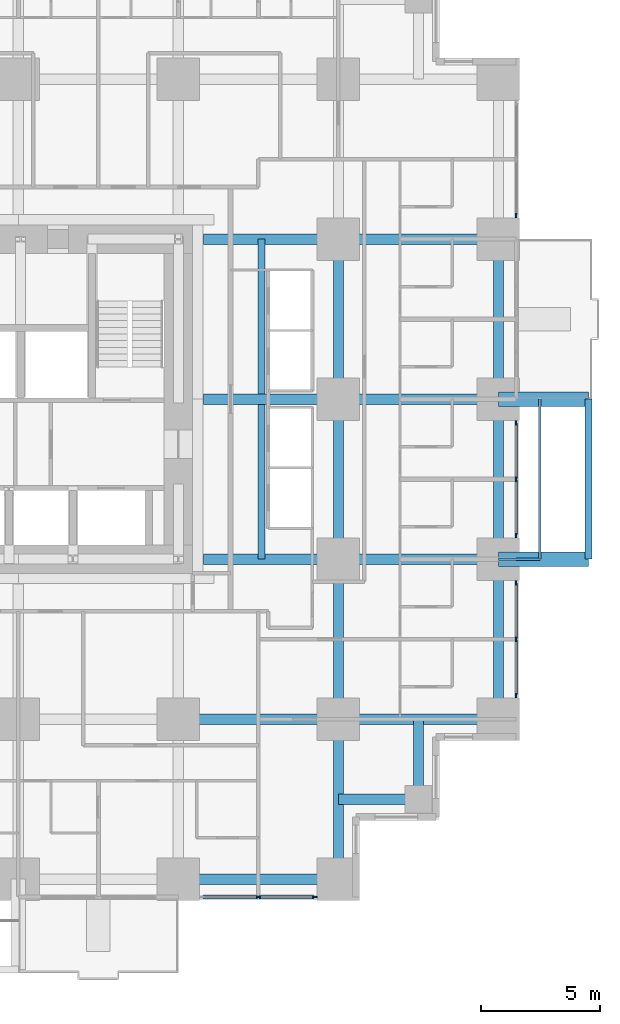
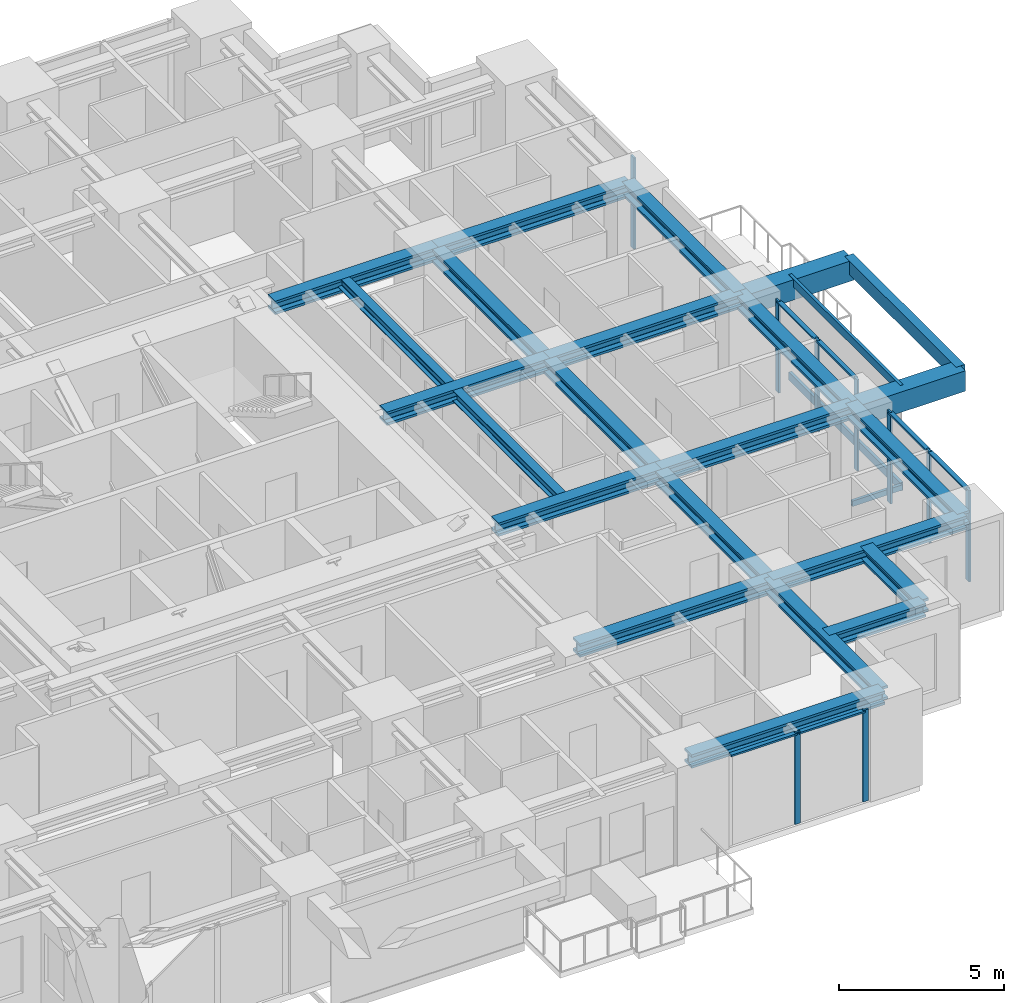
# One storey, part 4 of 14: 23 beams, 18 members, 4 elements without a shape of their own.
"""IFC4 building model written with IfcOpenShell, lengths in metres."""

from ifc_helpers import new_model, si_unit, direction, frame, origin, origin_2d, place, context, subcontext, project, spatial, rectangle, hollow_rectangle, i_section, extrude, material, material_profile, profile_set, type_object, element, aggregate, save


model = new_model("IFC4")

# Units and contexts
model_context = context("Model", 3, precision=1e-05, world=origin(), true_north=direction((0.0, 1.0)))
body_context = subcontext(model_context, "Body", "Model", "MODEL_VIEW")
ifc_project = project(units=[si_unit("LENGTHUNIT", "METRE"), si_unit("AREAUNIT", "SQUARE_METRE"), si_unit("VOLUMEUNIT", "CUBIC_METRE"), si_unit("PLANEANGLEUNIT", "RADIAN"), si_unit("MASSUNIT", "GRAM", prefix="KILO")], contexts=[model_context])

# Site, building, storey
site_placement = place(None, origin())
site = spatial("IfcSite", under=ifc_project, at=site_placement, CompositionType="ELEMENT")
building_placement = place(site_placement, origin())
building = spatial("IfcBuilding", under=site, at=building_placement, Name="Nyansa Garden Tower", CompositionType="ELEMENT")
storey_placement = place(building_placement, frame((0.0, 0.0, 57.60009765625)))
storey = spatial("IfcBuildingStorey", under=building, at=storey_placement, Name="L15", CompositionType="ELEMENT", Elevation=57.60009765625)

# Beams
ifc_material_1 = material(Name="Concrete C70/85", Category="concrete")
ifc_material_profile_1 = material_profile(ifc_material_1, rectangle(XDim=0.60009765625, YDim=0.75, at=origin_2d()), Name="RC 600x750")
ifc_profile_set_1 = profile_set([ifc_material_profile_1], Name="Concrete C70/85")
beam_type_1 = type_object("IfcBeamType", Name="Balcony cantilever beam CB1 RC 600x750", PredefinedType="BEAM", material=ifc_profile_set_1)
for number, where, z_axis, x_axis, name in (
    (1, (40.5, 13.5, 2.98486328125), (1.0, 0.0, 0.0), (0.0, 1.0, 0.0), "Balcony cantilever beam L16"),
    (2, (40.5, 20.25, 2.98486328125), (1.0, 0.0, 0.0), (0.0, 1.0, 0.0), "Balcony cantilever beam L16"),
):
    element("IfcBeam", number, at=place(storey_placement, frame(where, z_axis=z_axis, x_axis=x_axis)), inside=storey, type_object=beam_type_1, Name=name, PredefinedType="BEAM", context=body_context, shape_type="SweptSolid", body=[
        extrude(rectangle(XDim=0.60009765625, YDim=0.75, at=origin_2d()), origin(), (0.0, 0.0, 1.0), 3.800048828125),
    ])
ifc_material_2 = material(Name="Concrete C70/85", Category="concrete")
ifc_material_profile_2 = material_profile(ifc_material_2, rectangle(XDim=0.300048828125, YDim=0.5, at=origin_2d()), Name="RC 300x500")
ifc_profile_set_2 = profile_set([ifc_material_profile_2], Name="Concrete C70/85")
beam_type_2 = type_object("IfcBeamType", Name="Balcony edge beam BE1 RC 300x500", PredefinedType="BEAM", material=ifc_profile_set_2)
beam_1_placement = place(storey_placement, frame((44.300048828125, 13.5, 3.10986328125), z_axis=(0.0, 1.0, 0.0), x_axis=(-1.0, 0.0, 0.0)))
element("IfcBeam", 3, at=beam_1_placement, inside=storey, type_object=beam_type_2, Name="Balcony edge beam L16", PredefinedType="BEAM", context=body_context, shape_type="SweptSolid", body=[
    extrude(rectangle(XDim=0.300048828125, YDim=0.5, at=origin_2d()), origin(), (0.0, 0.0, 1.0), 6.75),
])

# Curtain wall, members
ifc_material_3 = material(Name="Black anodised aluminium, dark tinted double glazing", Category="aluminium")
curtain_wall_type = type_object("IfcCurtainWallType", Name="Inner skin curtain wall ISW-A", PredefinedType="USERDEFINED", material=ifc_material_3)
curtain_wall_1_placement = place(storey_placement, origin())
curtain_wall_1 = element("IfcCurtainWall", 4, at=curtain_wall_1_placement, inside=storey, type_object=curtain_wall_type, Name="Inner skin curtain wall L15 E", ObjectType="UNITISED CURTAIN WALL", PredefinedType="USERDEFINED")
ifc_material_4 = material(Name="Black anodised aluminium", Category="aluminium")
ifc_material_profile_3 = material_profile(ifc_material_4, rectangle(XDim=0.06494140625, YDim=0.199951171875, at=origin_2d()), Name="Mullion 200x65")
ifc_profile_set_3 = profile_set([ifc_material_profile_3], Name="Black anodised aluminium")
member_type_1 = type_object("IfcMemberType", Name="Mullion ISW-A 200x65", PredefinedType="MULLION", material=ifc_profile_set_3)
member_1_placement = place(storey_placement, frame((41.25, 7.75, 0.0), z_axis=(0.0, 0.0, 1.0), x_axis=(-1.0, 0.0, 0.0)))
member_1 = element("IfcMember", 5, at=member_1_placement, type_object=member_type_1, Name="ISW-A mullion 1", PredefinedType="MULLION", context=body_context, shape_type="SweptSolid", body=[
    extrude(rectangle(XDim=0.06494140625, YDim=0.199951171875, at=origin_2d()), origin(), (0.0, 0.0, 1.0), 3.375),
])
member_2_placement = place(storey_placement, frame((41.25, 10.125, 0.0), z_axis=(0.0, 0.0, 1.0), x_axis=(-1.0, 0.0, 0.0)))
member_2 = element("IfcMember", 6, at=member_2_placement, type_object=member_type_1, Name="ISW-A mullion 2", PredefinedType="MULLION", context=body_context, shape_type="SweptSolid", body=[
    extrude(rectangle(XDim=0.06494140625, YDim=0.199951171875, at=origin_2d()), origin(), (0.0, 0.0, 1.0), 3.375),
])
member_3_placement = place(storey_placement, frame((41.25, 12.5, 0.0), z_axis=(0.0, 0.0, 1.0), x_axis=(-1.0, 0.0, 0.0)))
member_3 = element("IfcMember", 7, at=member_3_placement, type_object=member_type_1, Name="ISW-A mullion 3", PredefinedType="MULLION", context=body_context, shape_type="SweptSolid", body=[
    extrude(rectangle(XDim=0.06494140625, YDim=0.199951171875, at=origin_2d()), origin(), (0.0, 0.0, 1.0), 3.375),
])

curtain_wall_2_placement = place(storey_placement, origin())
curtain_wall_2 = element("IfcCurtainWall", 8, at=curtain_wall_2_placement, inside=storey, type_object=curtain_wall_type, Name="Inner skin curtain wall L15 E", ObjectType="UNITISED CURTAIN WALL", PredefinedType="USERDEFINED")
member_4_placement = place(storey_placement, frame((41.25, 14.5, 0.0), z_axis=(0.0, 0.0, 1.0), x_axis=(-1.0, 0.0, 0.0)))
member_4 = element("IfcMember", 9, at=member_4_placement, type_object=member_type_1, Name="ISW-A mullion 1", PredefinedType="MULLION", context=body_context, shape_type="SweptSolid", body=[
    extrude(rectangle(XDim=0.06494140625, YDim=0.199951171875, at=origin_2d()), origin(), (0.0, 0.0, 1.0), 3.375),
])
member_5_placement = place(storey_placement, frame((41.25, 16.875, 0.0), z_axis=(0.0, 0.0, 1.0), x_axis=(-1.0, 0.0, 0.0)))
member_5 = element("IfcMember", 10, at=member_5_placement, type_object=member_type_1, Name="ISW-A mullion 2", PredefinedType="MULLION", context=body_context, shape_type="SweptSolid", body=[
    extrude(rectangle(XDim=0.06494140625, YDim=0.199951171875, at=origin_2d()), origin(), (0.0, 0.0, 1.0), 3.375),
])
member_6_placement = place(storey_placement, frame((41.25, 19.25, 0.0), z_axis=(0.0, 0.0, 1.0), x_axis=(-1.0, 0.0, 0.0)))
member_6 = element("IfcMember", 11, at=member_6_placement, type_object=member_type_1, Name="ISW-A mullion 3", PredefinedType="MULLION", context=body_context, shape_type="SweptSolid", body=[
    extrude(rectangle(XDim=0.06494140625, YDim=0.199951171875, at=origin_2d()), origin(), (0.0, 0.0, 1.0), 3.375),
])

# Curtain wall, member
curtain_wall_3_placement = place(storey_placement, origin())
curtain_wall_3 = element("IfcCurtainWall", 12, at=curtain_wall_3_placement, inside=storey, type_object=curtain_wall_type, Name="Inner skin curtain wall L15 E", ObjectType="UNITISED CURTAIN WALL", PredefinedType="USERDEFINED")
member_7_placement = place(storey_placement, frame((41.25, 28.0, 0.0), z_axis=(0.0, 0.0, 1.0), x_axis=(-1.0, 0.0, 0.0)))
member_7 = element("IfcMember", 13, at=member_7_placement, type_object=member_type_1, Name="ISW-A mullion 1", PredefinedType="MULLION", context=body_context, shape_type="SweptSolid", body=[
    extrude(rectangle(XDim=0.06494140625, YDim=0.199951171875, at=origin_2d()), origin(), (0.0, 0.0, 1.0), 3.375),
])
aggregate(curtain_wall_3, [member_7])

# Curtain wall, members
curtain_wall_4_placement = place(storey_placement, origin())
curtain_wall_4 = element("IfcCurtainWall", 14, at=curtain_wall_4_placement, inside=storey, type_object=curtain_wall_type, Name="Inner skin curtain wall L15 S", ObjectType="UNITISED CURTAIN WALL", PredefinedType="USERDEFINED")
member_8_placement = place(storey_placement, frame((30.375, -0.75, 0.0), z_axis=(0.0, 0.0, 1.0), x_axis=(0.0, 1.0, 0.0)))
member_8 = element("IfcMember", 15, at=member_8_placement, type_object=member_type_1, Name="ISW-A mullion 2", PredefinedType="MULLION", context=body_context, shape_type="SweptSolid", body=[
    extrude(rectangle(XDim=0.06494140625, YDim=0.199951171875, at=origin_2d()), origin(), (0.0, 0.0, 1.0), 3.375),
])
member_9_placement = place(storey_placement, frame((32.75, -0.75, 0.0), z_axis=(0.0, 0.0, 1.0), x_axis=(0.0, 1.0, 0.0)))
member_9 = element("IfcMember", 16, at=member_9_placement, type_object=member_type_1, Name="ISW-A mullion 3", PredefinedType="MULLION", context=body_context, shape_type="SweptSolid", body=[
    extrude(rectangle(XDim=0.06494140625, YDim=0.199951171875, at=origin_2d()), origin(), (0.0, 0.0, 1.0), 3.375),
])

# Members
ifc_material_5 = material(Name="Steel S355, black powder coated", Category="steel")
ifc_material_profile_4 = material_profile(ifc_material_5, hollow_rectangle(XDim=0.10009765625, YDim=0.199951171875, WallThickness=0.008056640625, at=origin_2d()), Name="RHS 200x100x8")
ifc_profile_set_4 = profile_set([ifc_material_profile_4], Name="Steel S355, black powder coated")
member_type_2 = type_object("IfcMemberType", Name="Outer skin bracket arm RHS 200x100x8", PredefinedType="USERDEFINED", material=ifc_profile_set_4)
member_10_placement = place(storey_placement, frame((40.5, 13.5, -0.375), z_axis=(1.0, 0.0, 0.0), x_axis=(0.0, 1.0, 0.0)))
element("IfcMember", 17, at=member_10_placement, inside=storey, type_object=member_type_2, Name="Outer skin bracket arm", ObjectType="OUTER SKIN BRACKET", PredefinedType="USERDEFINED", context=body_context, shape_type="SweptSolid", body=[
    extrude(hollow_rectangle(XDim=0.10009765625, YDim=0.199951171875, WallThickness=0.008056640625, at=origin_2d()), origin(), (0.0, 0.0, 1.0), 1.75),
])
ifc_material_6 = material(Name="Steel S355, black powder coated", Category="steel")
ifc_material_profile_5 = material_profile(ifc_material_6, hollow_rectangle(XDim=0.10009765625, YDim=0.300048828125, WallThickness=0.010009765625, at=origin_2d()), Name="RHS 300x100x10")
ifc_profile_set_5 = profile_set([ifc_material_profile_5], Name="Steel S355, black powder coated")
member_type_3 = type_object("IfcMemberType", Name="Outer skin rail RHS 300x100x10", PredefinedType="USERDEFINED", material=ifc_profile_set_5)
for number, where, z_axis, x_axis, name in (
    (18, (42.25, 13.5, -0.375), (0.0, 1.0, 0.0), (-1.0, 0.0, 0.0), "Outer skin rail L15"),
    (19, (42.25, 13.5, 3.224853515625), (0.0, 1.0, 0.0), (-1.0, 0.0, 0.0), "Outer skin rail L15 head"),
):
    element("IfcMember", number, at=place(storey_placement, frame(where, z_axis=z_axis, x_axis=x_axis)), inside=storey, type_object=member_type_3, Name=name, ObjectType="OUTER SKIN RAIL", PredefinedType="USERDEFINED", context=body_context, shape_type="SweptSolid", body=[
        extrude(hollow_rectangle(XDim=0.10009765625, YDim=0.300048828125, WallThickness=0.010009765625, at=origin_2d()), origin(), (0.0, 0.0, 1.0), 6.75),
    ])

# Beams
ifc_material_7 = material(Name="Steel S355", Category="steel")
ifc_material_profile_6 = material_profile(ifc_material_7, i_section(OverallWidth=0.431884765625, OverallDepth=0.498046875, WebThickness=0.0556640625, FlangeThickness=0.0888671875, FilletRadius=0.014892578125, at=origin_2d()), Name="HD 400x744")
ifc_profile_set_6 = profile_set([ifc_material_profile_6], Name="Steel S355")
beam_type_3 = type_object("IfcBeamType", Name="Steel beam SBA1-744 HD 400x744", PredefinedType="BEAM", material=ifc_profile_set_6)
beam_2_placement = place(storey_placement, frame((27.0, 6.75, 3.1259765625), z_axis=(1.0, 0.0, 0.0), x_axis=(0.0, 1.0, 0.0)))
element("IfcBeam", 20, at=beam_2_placement, inside=storey, type_object=beam_type_3, Name="Steel beam 6/E-7/E L16", PredefinedType="BEAM", context=body_context, shape_type="SweptSolid", body=[
    extrude(i_section(OverallWidth=0.431884765625, OverallDepth=0.498046875, WebThickness=0.0556640625, FlangeThickness=0.0888671875, FilletRadius=0.014892578125, at=origin_2d()), origin(), (0.0, 0.0, 1.0), 6.75),
])
for number, where, z_axis, x_axis, name in (
    (21, (28.050048828125, 13.5, 3.1259765625), (1.0, 0.0, 0.0), (0.0, 1.0, 0.0), "Steel beam 28.050/F-7/F L16"),
    (22, (28.050048828125, 20.25, 3.1259765625), (1.0, 0.0, 0.0), (0.0, 1.0, 0.0), "Steel beam 28.050/G-7/G L16"),
    (23, (28.050048828125, 27.0, 3.1259765625), (1.0, 0.0, 0.0), (0.0, 1.0, 0.0), "Steel beam 28.050/H-7/H L16"),
):
    element("IfcBeam", number, at=place(storey_placement, frame(where, z_axis=z_axis, x_axis=x_axis)), inside=storey, type_object=beam_type_3, Name=name, PredefinedType="BEAM", context=body_context, shape_type="SweptSolid", body=[
        extrude(i_section(OverallWidth=0.431884765625, OverallDepth=0.498046875, WebThickness=0.0556640625, FlangeThickness=0.0888671875, FilletRadius=0.014892578125, at=origin_2d()), origin(), (0.0, 0.0, 1.0), 5.699951171875),
    ])
for number, where, z_axis, x_axis, name in (
    (24, (33.75, 0.0, 3.1259765625), (0.0, 1.0, 0.0), (-1.0, 0.0, 0.0), "Steel beam 7/D-7/E L16"),
    (25, (33.75, 6.75, 3.1259765625), (0.0, 1.0, 0.0), (-1.0, 0.0, 0.0), "Steel beam 7/E-7/F L16"),
    (26, (33.75, 6.75, 3.1259765625), (1.0, 0.0, 0.0), (0.0, 1.0, 0.0), "Steel beam 7/E-8/E L16"),
    (27, (33.75, 13.5, 3.1259765625), (0.0, 1.0, 0.0), (-1.0, 0.0, 0.0), "Steel beam 7/F-7/G L16"),
    (28, (33.75, 13.5, 3.1259765625), (1.0, 0.0, 0.0), (0.0, 1.0, 0.0), "Steel beam 7/F-8/F L16"),
    (29, (33.75, 20.25, 3.1259765625), (0.0, 1.0, 0.0), (-1.0, 0.0, 0.0), "Steel beam 7/G-7/H L16"),
    (30, (33.75, 20.25, 3.1259765625), (1.0, 0.0, 0.0), (0.0, 1.0, 0.0), "Steel beam 7/G-8/G L16"),
    (31, (33.75, 27.0, 3.1259765625), (1.0, 0.0, 0.0), (0.0, 1.0, 0.0), "Steel beam 7/H-8/H L16"),
):
    element("IfcBeam", number, at=place(storey_placement, frame(where, z_axis=z_axis, x_axis=x_axis)), inside=storey, type_object=beam_type_3, Name=name, PredefinedType="BEAM", context=body_context, shape_type="SweptSolid", body=[
        extrude(i_section(OverallWidth=0.431884765625, OverallDepth=0.498046875, WebThickness=0.0556640625, FlangeThickness=0.0888671875, FilletRadius=0.014892578125, at=origin_2d()), origin(), (0.0, 0.0, 1.0), 6.75),
    ])
ifc_material_8 = material(Name="Steel S355", Category="steel")
ifc_material_profile_7 = material_profile(ifc_material_8, i_section(OverallWidth=0.431884765625, OverallDepth=0.498046875, WebThickness=0.0556640625, FlangeThickness=0.0888671875, FilletRadius=0.014892578125, at=origin_2d()), Name="HD 400x744")
ifc_profile_set_7 = profile_set([ifc_material_profile_7], Name="Steel S355")
beam_type_4 = type_object("IfcBeamType", Name="Steel beam SEBA-744 HD 400x744", PredefinedType="BEAM", material=ifc_profile_set_7)
for number, where, z_axis, x_axis, name in (
    (32, (27.0, 0.0, 3.1259765625), (1.0, 0.0, 0.0), (0.0, 1.0, 0.0), "Steel edge beam 6/D-7/D L16"),
    (33, (40.5, 6.75, 3.1259765625), (0.0, 1.0, 0.0), (-1.0, 0.0, 0.0), "Steel edge beam 8/E-8/F L16"),
    (34, (40.5, 13.5, 3.1259765625), (0.0, 1.0, 0.0), (-1.0, 0.0, 0.0), "Steel edge beam 8/F-8/G L16"),
    (35, (40.5, 20.25, 3.1259765625), (0.0, 1.0, 0.0), (-1.0, 0.0, 0.0), "Steel edge beam 8/G-8/H L16"),
):
    element("IfcBeam", number, at=place(storey_placement, frame(where, z_axis=z_axis, x_axis=x_axis)), inside=storey, type_object=beam_type_4, Name=name, PredefinedType="BEAM", context=body_context, shape_type="SweptSolid", body=[
        extrude(i_section(OverallWidth=0.431884765625, OverallDepth=0.498046875, WebThickness=0.0556640625, FlangeThickness=0.0888671875, FilletRadius=0.014892578125, at=origin_2d()), origin(), (0.0, 0.0, 1.0), 6.75),
    ])
ifc_material_9 = material(Name="Steel S355", Category="steel")
ifc_material_profile_8 = material_profile(ifc_material_9, i_section(OverallWidth=0.431884765625, OverallDepth=0.498046875, WebThickness=0.0556640625, FlangeThickness=0.0888671875, FilletRadius=0.014892578125, at=origin_2d()), Name="HD 400x744")
ifc_profile_set_8 = profile_set([ifc_material_profile_8], Name="Steel S355")
beam_type_5 = type_object("IfcBeamType", Name="Steel beam SSB1-744 HD 400x744", PredefinedType="BEAM", material=ifc_profile_set_8)
for number, where, z_axis, x_axis, name in (
    (36, (37.125, 3.375, 3.1259765625), (0.0, 1.0, 0.0), (-1.0, 0.0, 0.0), "Steel step beam 37.125/3.375 L16"),
    (37, (37.125, 3.375, 3.1259765625), (-1.0, 0.0, 0.0), (0.0, -1.0, 0.0), "Steel step beam 37.125/3.375 L16"),
):
    element("IfcBeam", number, at=place(storey_placement, frame(where, z_axis=z_axis, x_axis=x_axis)), inside=storey, type_object=beam_type_5, Name=name, PredefinedType="BEAM", context=body_context, shape_type="SweptSolid", body=[
        extrude(i_section(OverallWidth=0.431884765625, OverallDepth=0.498046875, WebThickness=0.0556640625, FlangeThickness=0.0888671875, FilletRadius=0.014892578125, at=origin_2d()), origin(), (0.0, 0.0, 1.0), 3.375),
    ])

# Member
ifc_material_10 = material(Name="Black anodised aluminium", Category="aluminium")
ifc_material_profile_9 = material_profile(ifc_material_10, rectangle(XDim=0.14990234375, YDim=0.06494140625, at=origin_2d()), Name="Transom 150x65")
ifc_profile_set_9 = profile_set([ifc_material_profile_9], Name="Black anodised aluminium")
member_type_4 = type_object("IfcMemberType", Name="Transom ISW-A 150x65", PredefinedType="USERDEFINED", material=ifc_profile_set_9)
member_11_placement = place(storey_placement, frame((41.25, 7.782470703125, 3.34228515625), z_axis=(0.0, 1.0, 0.0), x_axis=(-1.0, 0.0, 0.0)))
member_11 = element("IfcMember", 38, at=member_11_placement, type_object=member_type_4, Name="ISW-A transom 1", ObjectType="TRANSOM", PredefinedType="USERDEFINED", context=body_context, shape_type="SweptSolid", body=[
    extrude(rectangle(XDim=0.14990234375, YDim=0.06494140625, at=origin_2d()), origin(), (0.0, 0.0, 1.0), 2.31005859375),
])

member_12_placement = place(storey_placement, frame((41.25, 10.157470703125, 3.34228515625), z_axis=(0.0, 1.0, 0.0), x_axis=(-1.0, 0.0, 0.0)))
member_12 = element("IfcMember", 39, at=member_12_placement, type_object=member_type_4, Name="ISW-A transom 2", ObjectType="TRANSOM", PredefinedType="USERDEFINED", context=body_context, shape_type="SweptSolid", body=[
    extrude(rectangle(XDim=0.14990234375, YDim=0.06494140625, at=origin_2d()), origin(), (0.0, 0.0, 1.0), 2.31005859375),
])

aggregate(curtain_wall_1, [member_1, member_2, member_3, member_11, member_12])

member_13_placement = place(storey_placement, frame((41.25, 14.532470703125, 3.34228515625), z_axis=(0.0, 1.0, 0.0), x_axis=(-1.0, 0.0, 0.0)))
member_13 = element("IfcMember", 40, at=member_13_placement, type_object=member_type_4, Name="ISW-A transom 1", ObjectType="TRANSOM", PredefinedType="USERDEFINED", context=body_context, shape_type="SweptSolid", body=[
    extrude(rectangle(XDim=0.14990234375, YDim=0.06494140625, at=origin_2d()), origin(), (0.0, 0.0, 1.0), 2.31005859375),
])

member_14_placement = place(storey_placement, frame((41.25, 16.907470703125, 3.34228515625), z_axis=(0.0, 1.0, 0.0), x_axis=(-1.0, 0.0, 0.0)))
member_14 = element("IfcMember", 41, at=member_14_placement, type_object=member_type_4, Name="ISW-A transom 2", ObjectType="TRANSOM", PredefinedType="USERDEFINED", context=body_context, shape_type="SweptSolid", body=[
    extrude(rectangle(XDim=0.14990234375, YDim=0.06494140625, at=origin_2d()), origin(), (0.0, 0.0, 1.0), 2.31005859375),
])

aggregate(curtain_wall_2, [member_4, member_5, member_6, member_13, member_14])

member_15_placement = place(storey_placement, frame((28.032470703125, -0.75, 3.34228515625), z_axis=(1.0, 0.0, 0.0), x_axis=(0.0, 1.0, 0.0)))
member_15 = element("IfcMember", 42, at=member_15_placement, type_object=member_type_4, Name="ISW-A transom 1", ObjectType="TRANSOM", PredefinedType="USERDEFINED", context=body_context, shape_type="SweptSolid", body=[
    extrude(rectangle(XDim=0.14990234375, YDim=0.06494140625, at=origin_2d()), origin(), (0.0, 0.0, 1.0), 2.31005859375),
])

member_16_placement = place(storey_placement, frame((30.407470703125, -0.75, 3.34228515625), z_axis=(1.0, 0.0, 0.0), x_axis=(0.0, 1.0, 0.0)))
member_16 = element("IfcMember", 43, at=member_16_placement, type_object=member_type_4, Name="ISW-A transom 2", ObjectType="TRANSOM", PredefinedType="USERDEFINED", context=body_context, shape_type="SweptSolid", body=[
    extrude(rectangle(XDim=0.14990234375, YDim=0.06494140625, at=origin_2d()), origin(), (0.0, 0.0, 1.0), 2.31005859375),
])

aggregate(curtain_wall_4, [member_8, member_9, member_15, member_16])

# Beams
ifc_material_11 = material(Name="Steel S355", Category="steel")
ifc_material_profile_10 = material_profile(ifc_material_11, i_section(OverallWidth=0.300048828125, OverallDepth=0.39990234375, WebThickness=0.013427734375, FlangeThickness=0.02392578125, FilletRadius=0.027099609375, at=origin_2d()), Name="HE 400 B")
ifc_profile_set_10 = profile_set([ifc_material_profile_10], Name="Steel S355")
beam_type_6 = type_object("IfcBeamType", Name="Trimmer beam TR1 HE 400 B", PredefinedType="BEAM", material=ifc_profile_set_10)
for number, where, z_axis, x_axis, name in (
    (44, (30.5, 13.5, 3.1748046875), (0.0, 1.0, 0.0), (-1.0, 0.0, 0.0), "Trimmer beam 1 L16"),
    (45, (30.5, 20.466064453125, 3.1748046875), (0.0, 1.0, 0.0), (-1.0, 0.0, 0.0), "Trimmer beam 2 L16"),
):
    element("IfcBeam", number, at=place(storey_placement, frame(where, z_axis=z_axis, x_axis=x_axis)), inside=storey, type_object=beam_type_6, Name=name, PredefinedType="BEAM", context=body_context, shape_type="SweptSolid", body=[
        extrude(i_section(OverallWidth=0.300048828125, OverallDepth=0.39990234375, WebThickness=0.013427734375, FlangeThickness=0.02392578125, FilletRadius=0.027099609375, at=origin_2d()), origin(), (0.0, 0.0, 1.0), 6.533935546875),
    ])

save(model, "model.ifc")
